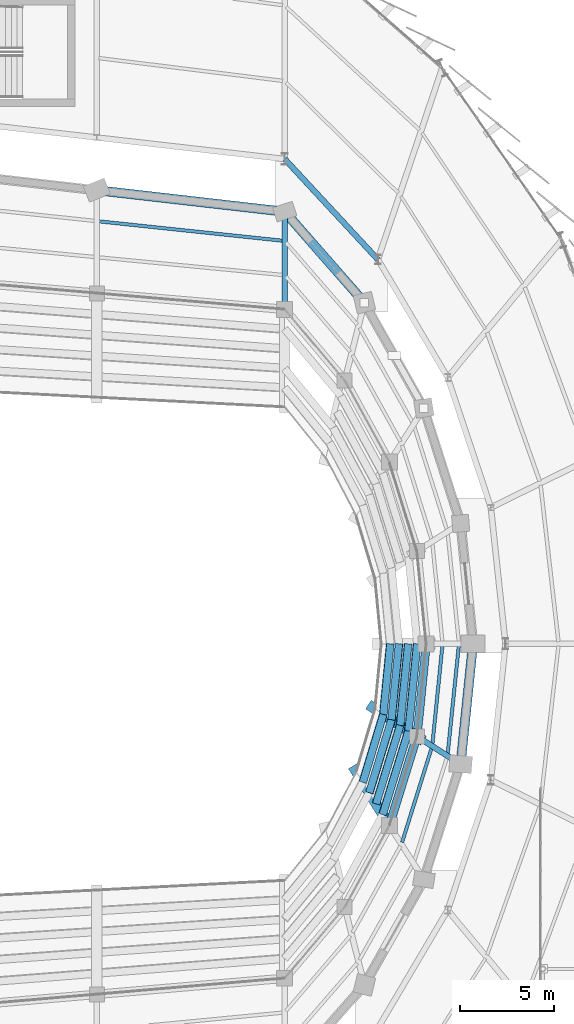
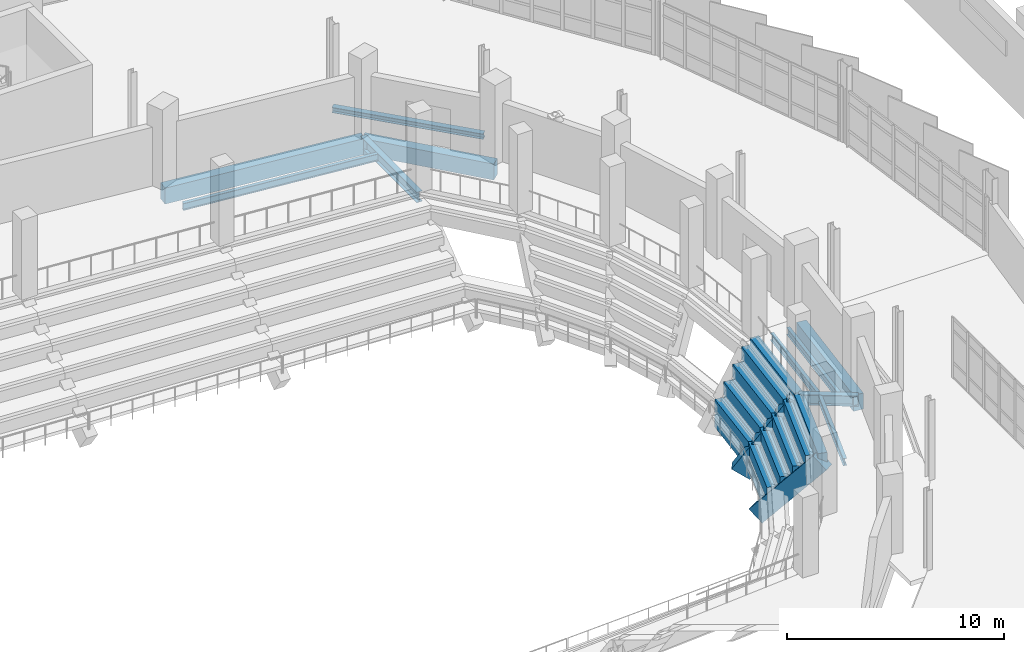
# One storey, part 71 of 134: 30 beams.
"""IFC4 building model written with IfcOpenShell, lengths in metres."""

from ifc_helpers import new_model, si_unit, direction, frame, origin, origin_2d, place, context, subcontext, project, spatial, rectangle, i_section, extrude, material, material_profile, profile_set, type_object, element, save


model = new_model("IFC4")

# Units and contexts
model_context = context("Model", 3, precision=1e-05, world=origin(), true_north=direction((0.0, 1.0)))
body_context = subcontext(model_context, "Body", "Model", "MODEL_VIEW")
ifc_project = project(units=[si_unit("LENGTHUNIT", "METRE"), si_unit("AREAUNIT", "SQUARE_METRE"), si_unit("VOLUMEUNIT", "CUBIC_METRE"), si_unit("PLANEANGLEUNIT", "RADIAN"), si_unit("MASSUNIT", "GRAM", prefix="KILO")], contexts=[model_context])

# Site, building, storey
site_placement = place(None, origin())
site = spatial("IfcSite", under=ifc_project, at=site_placement, CompositionType="ELEMENT")
building_placement = place(site_placement, origin())
building = spatial("IfcBuilding", under=site, at=building_placement, Name="Sohan Crest Arena", CompositionType="ELEMENT")
storey_placement = place(building_placement, frame((0.0, 0.0, 4.5)))
storey = spatial("IfcBuildingStorey", under=building, at=storey_placement, Name="L01", CompositionType="ELEMENT", Elevation=4.5)

# Beams
ifc_material_1 = material(Name="Steel S355", Category="steel")
ifc_material_profile_1 = material_profile(ifc_material_1, i_section(OverallWidth=0.179931640625, OverallDepth=0.39990234375, WebThickness=0.008544921875, FlangeThickness=0.013427734375, at=origin_2d()), Name="IPE 400")
ifc_profile_set_1 = profile_set([ifc_material_profile_1], Name="Steel S355")
beam_type_1 = type_object("IfcBeamType", Name="STR-BM-B03", PredefinedType="JOIST", material=ifc_profile_set_1)
beam_1_placement = place(storey_placement, frame((174.2470703125, 67.43310546875, -0.449951171875), z_axis=(0.298949451422, 0.954268948198, 0.0), x_axis=(-0.954268948198, 0.298949451422, 0.0)))
element("IfcBeam", 1, at=beam_1_placement, inside=storey, type_object=beam_type_1, Name="Structural beam J-L01-0530", PredefinedType="JOIST", context=body_context, shape_type="SweptSolid", body=[
    extrude(i_section(OverallWidth=0.179931640625, OverallDepth=0.39990234375, WebThickness=0.008544921875, FlangeThickness=0.013427734375, at=origin_2d()), origin(), (0.0, 0.0, 1.0), 5.255126953125),
])
beam_2_placement = place(storey_placement, frame((175.862060546875, 72.662109375, -0.449951171875), z_axis=(0.101030499598, 0.994883328914, 0.0), x_axis=(-0.994883328914, 0.101030499598, 0.0)))
element("IfcBeam", 2, at=beam_2_placement, inside=storey, type_object=beam_type_1, Name="Structural beam J-L01-0553", PredefinedType="JOIST", context=body_context, shape_type="SweptSolid", body=[
    extrude(i_section(OverallWidth=0.179931640625, OverallDepth=0.39990234375, WebThickness=0.008544921875, FlangeThickness=0.013427734375, at=origin_2d()), origin(), (0.0, 0.0, 1.0), 5.255859375),
])
beam_3_placement = place(storey_placement, frame((176.676025390625, 72.14501953125, -0.449951171875), z_axis=(0.101947356638, 0.99478979512, 0.0), x_axis=(-0.99478979512, 0.101947356638, 0.0)))
element("IfcBeam", 3, at=beam_3_placement, inside=storey, type_object=beam_type_1, Name="Structural beam J-L01-0554", PredefinedType="JOIST", context=body_context, shape_type="SweptSolid", body=[
    extrude(i_section(OverallWidth=0.179931640625, OverallDepth=0.39990234375, WebThickness=0.008544921875, FlangeThickness=0.013427734375, at=origin_2d()), origin(), (0.0, 0.0, 1.0), 5.776123046875),
])
beam_4_placement = place(storey_placement, frame((167.89111328125, 99.451904296875, -0.449951171875), z_axis=(-0.994468399553, 0.105036195141, 0.0), x_axis=(-0.105036195141, -0.994468399553, 0.0)))
element("IfcBeam", 4, at=beam_4_placement, inside=storey, type_object=beam_type_1, Name="Structural beam J-L01-0668", PredefinedType="JOIST", context=body_context, shape_type="SweptSolid", body=[
    extrude(i_section(OverallWidth=0.179931640625, OverallDepth=0.39990234375, WebThickness=0.008544921875, FlangeThickness=0.013427734375, at=origin_2d()), origin(), (0.0, 0.0, 1.0), 9.836669921875),
])
ifc_material_profile_2 = material_profile(ifc_material_1, i_section(OverallWidth=0.300048828125, OverallDepth=0.590087890625, WebThickness=0.012939453125, FlangeThickness=0.02490234375, at=origin_2d()), Name="HEA 600")
ifc_profile_set_2 = profile_set([ifc_material_profile_2], Name="Steel S355")
beam_type_2 = type_object("IfcBeamType", Name="STR-BM-B11", PredefinedType="BEAM", material=ifc_profile_set_2)
beam_5_placement = place(storey_placement, frame((175.037109375, 73.070068359375, -0.544921875), z_axis=(0.84416826172, -0.536078302027, 0.0), x_axis=(0.536078302027, 0.84416826172, 0.0)))
element("IfcBeam", 5, at=beam_5_placement, inside=storey, type_object=beam_type_2, Name="Structural beam G-L01-0552", PredefinedType="BEAM", context=body_context, shape_type="SweptSolid", body=[
    extrude(i_section(OverallWidth=0.300048828125, OverallDepth=0.590087890625, WebThickness=0.012939453125, FlangeThickness=0.02490234375, at=origin_2d()), origin(), (0.0, 0.0, 1.0), 2.75537109375),
])
beam_6_placement = place(storey_placement, frame((168.0, 95.800048828125, -0.544921875), z_axis=(0.0, 1.0, 0.0), x_axis=(-1.0, 0.0, 0.0)))
element("IfcBeam", 6, at=beam_6_placement, inside=storey, type_object=beam_type_2, Name="Structural beam G-L01-0666", PredefinedType="BEAM", context=body_context, shape_type="SweptSolid", body=[
    extrude(i_section(OverallWidth=0.300048828125, OverallDepth=0.590087890625, WebThickness=0.012939453125, FlangeThickness=0.02490234375, at=origin_2d()), origin(), (0.0, 0.0, 1.0), 5.199951171875),
])
ifc_material_profile_3 = material_profile(ifc_material_1, i_section(OverallWidth=0.300048828125, OverallDepth=0.300048828125, WebThickness=0.010986328125, FlangeThickness=0.01904296875, at=origin_2d()), Name="HEB 300")
ifc_profile_set_3 = profile_set([ifc_material_profile_3], Name="Steel S355")
beam_type_3 = type_object("IfcBeamType", Name="STR-BM-B12", PredefinedType="BEAM", material=ifc_profile_set_3)
beam_7_placement = place(storey_placement, frame((172.9609375, 98.452880859375, -0.425048828125), z_axis=(-0.680135214567, 0.733086686488, 0.0), x_axis=(-0.733086686488, -0.680135214567, 0.0)))
element("IfcBeam", 7, at=beam_7_placement, inside=storey, type_object=beam_type_3, Name="Structural beam G-L01-1208", PredefinedType="BEAM", context=body_context, shape_type="SweptSolid", body=[
    extrude(i_section(OverallWidth=0.300048828125, OverallDepth=0.300048828125, WebThickness=0.010986328125, FlangeThickness=0.01904296875, at=origin_2d()), origin(), (0.0, 0.0, 1.0), 7.2939453125),
])
ifc_material_2 = material(Name="Precast concrete C50/60", Category="concrete")
ifc_material_profile_4 = material_profile(ifc_material_2, rectangle(XDim=0.550048828125, YDim=0.89990234375, at=origin_2d()), Name="RAKER 550x900")
ifc_profile_set_4 = profile_set([ifc_material_profile_4], Name="Precast concrete C50/60")
beam_type_4 = type_object("IfcBeamType", Name="STR-BM-RK01", PredefinedType="USERDEFINED", material=ifc_profile_set_4)
beam_8_placement = place(storey_placement, frame((171.80908203125, 71.195068359375, -4.75), z_axis=(0.332446164004, -0.539459197263, 0.773604112274), x_axis=(0.851326184366, 0.524636757969, 0.0)))
element("IfcBeam", 8, at=beam_8_placement, inside=storey, type_object=beam_type_4, Name="Structural beam RK-L01-0872", ObjectType="RAKER", PredefinedType="USERDEFINED", context=body_context, shape_type="SweptSolid", body=[
    extrude(rectangle(XDim=0.550048828125, YDim=0.89990234375, at=origin_2d()), origin(), (0.0, 0.0, 1.0), 5.300048828125),
])
ifc_material_profile_5 = material_profile(ifc_material_2, rectangle(XDim=0.550048828125, YDim=1.0, at=origin_2d()), Name="RAKER 550x1000")
ifc_profile_set_5 = profile_set([ifc_material_profile_5], Name="Precast concrete C50/60")
beam_type_5 = type_object("IfcBeamType", Name="STR-BM-RK02", PredefinedType="USERDEFINED", material=ifc_profile_set_5)
beam_9_placement = place(storey_placement, frame((172.80810546875, 74.532958984375, -4.75), z_axis=(0.455760331498, -0.299114557101, 0.838339431235), x_axis=(0.54868444332, 0.836029533963, 0.0)))
element("IfcBeam", 9, at=beam_9_placement, inside=storey, type_object=beam_type_5, Name="Structural beam RK-L01-0873", ObjectType="RAKER", PredefinedType="USERDEFINED", context=body_context, shape_type="SweptSolid", body=[
    extrude(rectangle(XDim=0.550048828125, YDim=1.0, at=origin_2d()), origin(), (0.0, 0.0, 1.0), 4.890625),
])
ifc_material_3 = material(Name="Concrete C40/50", Category="concrete")
ifc_material_profile_6 = material_profile(ifc_material_3, rectangle(XDim=0.39990234375, YDim=0.699951171875, at=origin_2d()), Name="RC-BM 400x700")
ifc_profile_set_6 = profile_set([ifc_material_profile_6], Name="Concrete C40/50")
beam_type_6 = type_object("IfcBeamType", Name="STR-BM-TB01", PredefinedType="BEAM", material=ifc_profile_set_6)
beam_10_placement = place(storey_placement, frame((172.14697265625, 70.64599609375, -4.220947265625), z_axis=(0.28913123399, 0.957289470083, 0.0), x_axis=(-0.957289470083, 0.28913123399, 0.0)))
element("IfcBeam", 10, at=beam_10_placement, inside=storey, type_object=beam_type_6, Name="Tier rear stringer beam TSB-L169B", PredefinedType="BEAM", context=body_context, shape_type="SweptSolid", body=[
    extrude(rectangle(XDim=0.39990234375, YDim=0.699951171875, at=origin_2d()), origin(), (0.0, 0.0, 1.0), 3.766845703125),
])
beam_11_placement = place(storey_placement, frame((172.160888671875, 70.623046875, -3.40087890625), z_axis=(0.28927384836, 0.957246384509, 0.0), x_axis=(-0.957246384509, 0.28927384836, 0.0)))
element("IfcBeam", 11, at=beam_11_placement, inside=storey, type_object=beam_type_6, Name="Tier front stringer beam TSB-L170A", PredefinedType="BEAM", context=body_context, shape_type="SweptSolid", body=[
    extrude(rectangle(XDim=0.39990234375, YDim=0.699951171875, at=origin_2d()), origin(), (0.0, 0.0, 1.0), 3.778564453125),
])
beam_12_placement = place(storey_placement, frame((172.5, 70.073974609375, -3.40087890625), z_axis=(0.290979832495, 0.956729186908, 0.0), x_axis=(-0.956729186908, 0.290979832495, 0.0)))
element("IfcBeam", 12, at=beam_12_placement, inside=storey, type_object=beam_type_6, Name="Tier rear stringer beam TSB-L170B", PredefinedType="BEAM", context=body_context, shape_type="SweptSolid", body=[
    extrude(rectangle(XDim=0.39990234375, YDim=0.699951171875, at=origin_2d()), origin(), (0.0, 0.0, 1.0), 4.061767578125),
])
beam_13_placement = place(storey_placement, frame((172.513916015625, 70.051025390625, -2.5810546875), z_axis=(0.291161615783, 0.956673880429, 0.0), x_axis=(-0.956673880429, 0.291161615783, 0.0)))
element("IfcBeam", 13, at=beam_13_placement, inside=storey, type_object=beam_type_6, Name="Tier front stringer beam TSB-L171A", PredefinedType="BEAM", context=body_context, shape_type="SweptSolid", body=[
    extrude(rectangle(XDim=0.39990234375, YDim=0.699951171875, at=origin_2d()), origin(), (0.0, 0.0, 1.0), 4.073486328125),
])
beam_14_placement = place(storey_placement, frame((172.85205078125, 69.501953125, -2.5810546875), z_axis=(0.29289623478, 0.956144233707, 0.0), x_axis=(-0.956144233707, 0.29289623478, 0.0)))
element("IfcBeam", 14, at=beam_14_placement, inside=storey, type_object=beam_type_6, Name="Tier rear stringer beam TSB-L171B", PredefinedType="BEAM", context=body_context, shape_type="SweptSolid", body=[
    extrude(rectangle(XDim=0.39990234375, YDim=0.699951171875, at=origin_2d()), origin(), (0.0, 0.0, 1.0), 4.35595703125),
])
beam_15_placement = place(storey_placement, frame((172.865966796875, 69.47998046875, -1.760986328125), z_axis=(0.292918747926, 0.956137336952, 0.0), x_axis=(-0.956137336952, 0.292918747926, 0.0)))
element("IfcBeam", 15, at=beam_15_placement, inside=storey, type_object=beam_type_6, Name="Tier front stringer beam TSB-L172A", PredefinedType="BEAM", context=body_context, shape_type="SweptSolid", body=[
    extrude(rectangle(XDim=0.39990234375, YDim=0.699951171875, at=origin_2d()), origin(), (0.0, 0.0, 1.0), 4.36669921875),
])
beam_16_placement = place(storey_placement, frame((173.205078125, 68.930908203125, -1.760986328125), z_axis=(0.294244526852, 0.955730170298, 0.0), x_axis=(-0.955730170298, 0.294244526852, 0.0)))
element("IfcBeam", 16, at=beam_16_placement, inside=storey, type_object=beam_type_6, Name="Tier rear stringer beam TSB-L172B", PredefinedType="BEAM", context=body_context, shape_type="SweptSolid", body=[
    extrude(rectangle(XDim=0.39990234375, YDim=0.699951171875, at=origin_2d()), origin(), (0.0, 0.0, 1.0), 4.64892578125),
])
beam_17_placement = place(storey_placement, frame((173.218994140625, 68.907958984375, -0.94091796875), z_axis=(0.294336096628, 0.955701973536, 0.0), x_axis=(-0.955701973536, 0.294336096628, 0.0)))
element("IfcBeam", 17, at=beam_17_placement, inside=storey, type_object=beam_type_6, Name="Tier front stringer beam TSB-L173A", PredefinedType="BEAM", context=body_context, shape_type="SweptSolid", body=[
    extrude(rectangle(XDim=0.39990234375, YDim=0.699951171875, at=origin_2d()), origin(), (0.0, 0.0, 1.0), 4.66162109375),
])
beam_18_placement = place(storey_placement, frame((173.236083984375, 74.251953125, -4.220947265625), z_axis=(0.097436706, 0.995241723565, 0.0), x_axis=(-0.995241723565, 0.097436706, 0.0)))
element("IfcBeam", 18, at=beam_18_placement, inside=storey, type_object=beam_type_6, Name="Tier rear stringer beam TSB-L174B", PredefinedType="BEAM", context=body_context, shape_type="SweptSolid", body=[
    extrude(rectangle(XDim=0.39990234375, YDim=0.699951171875, at=origin_2d()), origin(), (0.0, 0.0, 1.0), 3.765869140625),
])
beam_19_placement = place(storey_placement, frame((173.25390625, 74.239990234375, -3.40087890625), z_axis=(0.097449685266, 0.995240452776, 0.0), x_axis=(-0.995240452776, 0.097449685266, 0.0)))
element("IfcBeam", 19, at=beam_19_placement, inside=storey, type_object=beam_type_6, Name="Tier front stringer beam TSB-L175A", PredefinedType="BEAM", context=body_context, shape_type="SweptSolid", body=[
    extrude(rectangle(XDim=0.39990234375, YDim=0.699951171875, at=origin_2d()), origin(), (0.0, 0.0, 1.0), 3.778076171875),
])
beam_20_placement = place(storey_placement, frame((173.681884765625, 73.9599609375, -3.40087890625), z_axis=(0.098324717155, 0.995154385006, 0.0), x_axis=(-0.995154385006, 0.098324717155, 0.0)))
element("IfcBeam", 20, at=beam_20_placement, inside=storey, type_object=beam_type_6, Name="Tier rear stringer beam TSB-L175B", PredefinedType="BEAM", context=body_context, shape_type="SweptSolid", body=[
    extrude(rectangle(XDim=0.39990234375, YDim=0.699951171875, at=origin_2d()), origin(), (0.0, 0.0, 1.0), 4.059814453125),
])
beam_21_placement = place(storey_placement, frame((173.699951171875, 73.947998046875, -2.5810546875), z_axis=(0.098274756016, 0.995159320074, 0.0), x_axis=(-0.995159320074, 0.098274756016, 0.0)))
element("IfcBeam", 21, at=beam_21_placement, inside=storey, type_object=beam_type_6, Name="Tier front stringer beam TSB-L176A", PredefinedType="BEAM", context=body_context, shape_type="SweptSolid", body=[
    extrude(rectangle(XDim=0.39990234375, YDim=0.699951171875, at=origin_2d()), origin(), (0.0, 0.0, 1.0), 4.07177734375),
])
beam_22_placement = place(storey_placement, frame((174.1279296875, 73.6669921875, -2.5810546875), z_axis=(0.098793119521, 0.995107993906, 0.0), x_axis=(-0.995107993906, 0.098793119521, 0.0)))
element("IfcBeam", 22, at=beam_22_placement, inside=storey, type_object=beam_type_6, Name="Tier rear stringer beam TSB-L176B", PredefinedType="BEAM", context=body_context, shape_type="SweptSolid", body=[
    extrude(rectangle(XDim=0.39990234375, YDim=0.699951171875, at=origin_2d()), origin(), (0.0, 0.0, 1.0), 4.354248046875),
])
beam_23_placement = place(storey_placement, frame((174.14501953125, 73.655029296875, -1.760986328125), z_axis=(0.098911348252, 0.995096249208, 0.0), x_axis=(-0.995096249208, 0.098911348252, 0.0)))
element("IfcBeam", 23, at=beam_23_placement, inside=storey, type_object=beam_type_6, Name="Tier front stringer beam TSB-L177A", PredefinedType="BEAM", context=body_context, shape_type="SweptSolid", body=[
    extrude(rectangle(XDim=0.39990234375, YDim=0.699951171875, at=origin_2d()), origin(), (0.0, 0.0, 1.0), 4.366455078125),
])
beam_24_placement = place(storey_placement, frame((174.572998046875, 73.3740234375, -1.760986328125), z_axis=(0.099566111426, 0.995030948994, 0.0), x_axis=(-0.995030948994, 0.099566111426, 0.0)))
element("IfcBeam", 24, at=beam_24_placement, inside=storey, type_object=beam_type_6, Name="Tier rear stringer beam TSB-L177B", PredefinedType="BEAM", context=body_context, shape_type="SweptSolid", body=[
    extrude(rectangle(XDim=0.39990234375, YDim=0.699951171875, at=origin_2d()), origin(), (0.0, 0.0, 1.0), 4.649169921875),
])
beam_25_placement = place(storey_placement, frame((174.591064453125, 73.363037109375, -0.94091796875), z_axis=(0.099540028501, 0.995033558593, 0.0), x_axis=(-0.995033558593, 0.099540028501, 0.0)))
element("IfcBeam", 25, at=beam_25_placement, inside=storey, type_object=beam_type_6, Name="Tier front stringer beam TSB-L178A", PredefinedType="BEAM", context=body_context, shape_type="SweptSolid", body=[
    extrude(rectangle(XDim=0.39990234375, YDim=0.699951171875, at=origin_2d()), origin(), (0.0, 0.0, 1.0), 4.66015625),
])
ifc_material_profile_7 = material_profile(ifc_material_3, rectangle(XDim=0.449951171875, YDim=0.800048828125, at=origin_2d()), Name="RC-BM 450x800")
ifc_profile_set_7 = profile_set([ifc_material_profile_7], Name="Concrete C40/50")
beam_type_7 = type_object("IfcBeamType", Name="STR-BM-TB02", PredefinedType="BEAM", material=ifc_profile_set_7)
beam_26_placement = place(storey_placement, frame((173.571044921875, 68.3359375, -0.64990234375), z_axis=(0.295819661295, 0.955243805524, 0.0), x_axis=(-0.955243805524, 0.295819661295, 0.0)))
element("IfcBeam", 26, at=beam_26_placement, inside=storey, type_object=beam_type_7, Name="Structural beam TB-L01-0527", PredefinedType="BEAM", context=body_context, shape_type="SweptSolid", body=[
    extrude(rectangle(XDim=0.449951171875, YDim=0.800048828125, at=origin_2d()), origin(), (0.0, 0.0, 1.0), 4.9560546875),
])
beam_27_placement = place(storey_placement, frame((175.037109375, 73.070068359375, -0.64990234375), z_axis=(0.099879368849, 0.994999553607, 0.0), x_axis=(-0.994999553607, 0.099879368849, 0.0)))
element("IfcBeam", 27, at=beam_27_placement, inside=storey, type_object=beam_type_7, Name="Structural beam TB-L01-0550", PredefinedType="BEAM", context=body_context, shape_type="SweptSolid", body=[
    extrude(rectangle(XDim=0.449951171875, YDim=0.800048828125, at=origin_2d()), origin(), (0.0, 0.0, 1.0), 4.95458984375),
])
ifc_material_profile_8 = material_profile(ifc_material_3, rectangle(XDim=0.5, YDim=0.89990234375, at=origin_2d()), Name="RC-BM 500x900")
ifc_profile_set_8 = profile_set([ifc_material_profile_8], Name="Concrete C40/50")
beam_type_8 = type_object("IfcBeamType", Name="STR-BM-TB03", PredefinedType="BEAM", material=ifc_profile_set_8)
for number, where, z_axis, x_axis, name in (
    (28, (177.363037109375, 71.593017578125, -0.699951171875), (0.102456857996, 0.994737448903, 0.0), (-0.994737448903, 0.102456857996, 0.0), "Structural beam TB-L01-0551"),
    (29, (172.242919921875, 96.154052734375, -0.699951171875), (-0.658743407002, 0.752367678553, 0.0), (-0.752367678553, -0.658743407002, 0.0), "Structural beam TB-L01-0643"),
):
    element("IfcBeam", number, at=place(storey_placement, frame(where, z_axis=z_axis, x_axis=x_axis)), inside=storey, type_object=beam_type_8, Name=name, PredefinedType="BEAM", context=body_context, shape_type="SweptSolid", body=[
        extrude(rectangle(XDim=0.5, YDim=0.89990234375, at=origin_2d()), origin(), (0.0, 0.0, 1.0), 6.44091796875),
    ])
beam_28_placement = place(storey_placement, frame((168.0, 101.0, -0.699951171875), z_axis=(-0.99353032697, 0.113567114035, 0.0), x_axis=(-0.113567114035, -0.99353032697, 0.0)))
element("IfcBeam", 30, at=beam_28_placement, inside=storey, type_object=beam_type_8, Name="Structural beam TB-L01-0665", PredefinedType="BEAM", context=body_context, shape_type="SweptSolid", body=[
    extrude(rectangle(XDim=0.5, YDim=0.89990234375, at=origin_2d()), origin(), (0.0, 0.0, 1.0), 10.065185546875),
])

save(model, "model.ifc")
